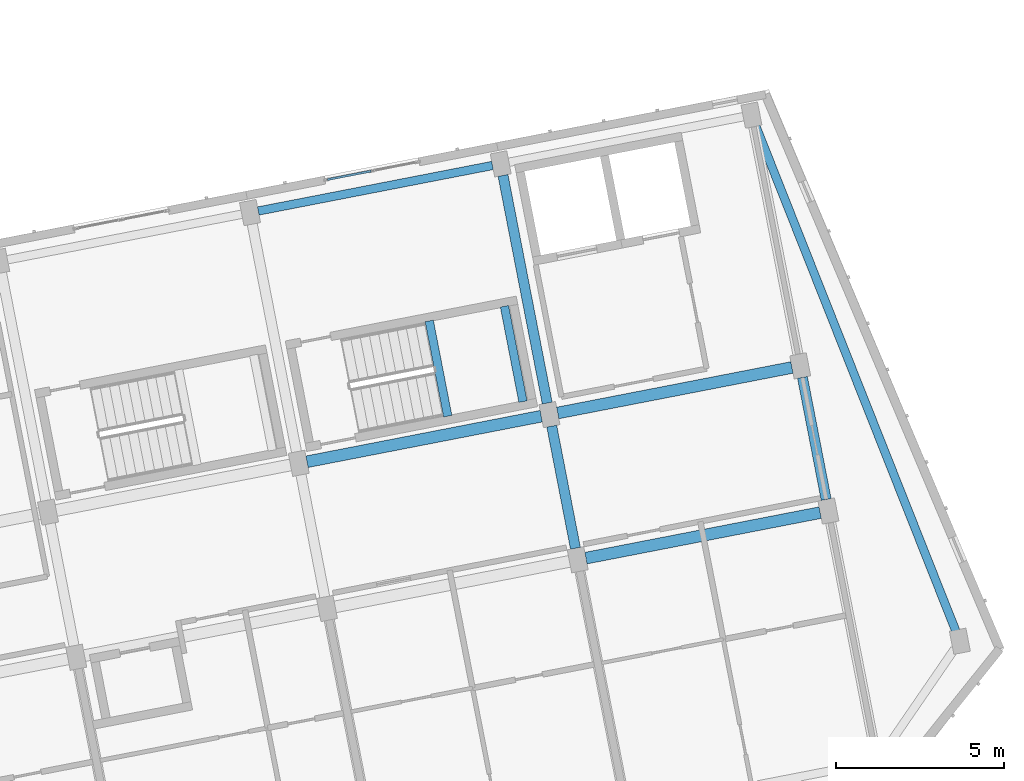
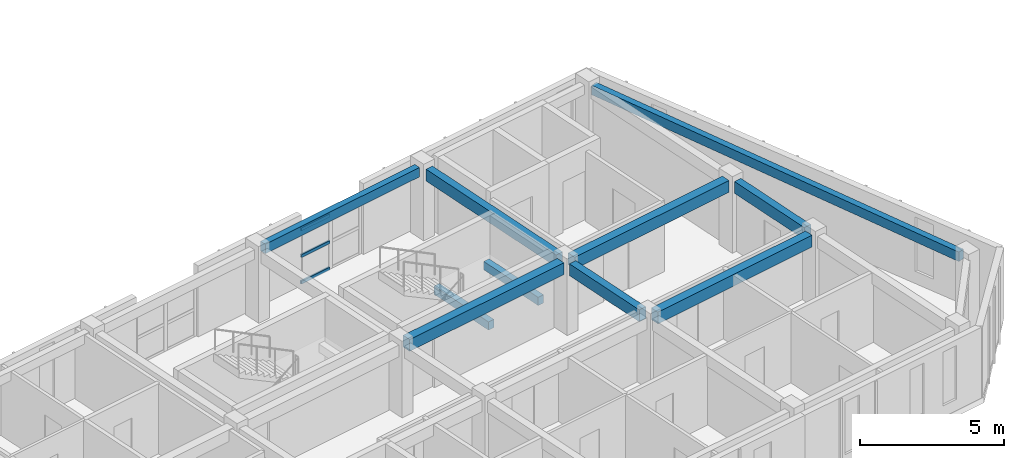
# One storey, part 57 of 127: 10 beams, 3 members, 1 element without a shape of its own.
"""IFC4 building model written with IfcOpenShell, lengths in metres."""

from ifc_helpers import new_model, si_unit, direction, frame, origin, origin_2d, place, context, subcontext, project, spatial, rectangle, hollow_rectangle, extrude, material, material_profile, profile_set, type_object, element, aggregate, save


model = new_model("IFC4")

# Units and contexts
model_context = context("Model", 3, precision=1e-05, world=origin(), true_north=direction((0.0, 1.0)))
body_context = subcontext(model_context, "Body", "Model", "MODEL_VIEW")
ifc_project = project(units=[si_unit("LENGTHUNIT", "METRE"), si_unit("AREAUNIT", "SQUARE_METRE"), si_unit("VOLUMEUNIT", "CUBIC_METRE"), si_unit("PLANEANGLEUNIT", "RADIAN"), si_unit("MASSUNIT", "GRAM", prefix="KILO")], contexts=[model_context])

# Site, building, storey
site_placement = place(None, origin())
site = spatial("IfcSite", under=ifc_project, at=site_placement, CompositionType="ELEMENT")
building_placement = place(site_placement, origin())
building = spatial("IfcBuilding", under=site, at=building_placement, Name="Kestramere Prow Commons", CompositionType="ELEMENT")
storey_placement = place(building_placement, frame((0.0, 0.0, 8.39990234375)))
storey = spatial("IfcBuildingStorey", under=building, at=storey_placement, Name="L02", CompositionType="ELEMENT", Elevation=8.39990234375)

# Beams
ifc_material_1 = material(Name="Precast concrete C40/50", Category="concrete")
ifc_material_profile_1 = material_profile(ifc_material_1, rectangle(XDim=0.35009765625, YDim=0.5, at=origin_2d()), Name="PC-BM 350x500")
ifc_profile_set_1 = profile_set([ifc_material_profile_1], Name="Precast concrete C40/50")
beam_type_1 = type_object("IfcBeamType", Name="BM-D1 PC-BM 350x500", PredefinedType="BEAM", material=ifc_profile_set_1)
for number, where, z_axis, x_axis, name in (
    (1, (154.4970703125, 48.7587890625, 2.75), (0.981627020401, 0.190809834175, 0.0), (-0.190809834175, 0.981627020401, 0.0), "Block D L02 Longitudinal Beam 2-6"),
    (2, (146.197265625, 51.6279296875, 2.75), (0.981627020401, 0.190809834175, 0.0), (-0.190809834175, 0.981627020401, 0.0), "Block D L02 Longitudinal Beam 3-5"),
):
    element("IfcBeam", number, at=place(storey_placement, frame(where, z_axis=z_axis, x_axis=x_axis)), inside=storey, type_object=beam_type_1, Name=name, PredefinedType="BEAM", context=body_context, shape_type="SweptSolid", body=[
        extrude(rectangle(XDim=0.35009765625, YDim=0.5, at=origin_2d()), origin(), (0.0, 0.0, 1.0), 7.099853515625),
    ])
beam_1_placement = place(storey_placement, frame((153.657470703125, 53.077880859375, 2.75), z_axis=(0.98162827229, 0.190803393686, 0.0), x_axis=(-0.190803393686, 0.98162827229, 0.0)))
element("IfcBeam", 3, at=beam_1_placement, inside=storey, type_object=beam_type_1, Name="Block D L02 Longitudinal Beam 3-6", PredefinedType="BEAM", context=body_context, shape_type="SweptSolid", body=[
    extrude(rectangle(XDim=0.35009765625, YDim=0.5, at=origin_2d()), origin(), (0.0, 0.0, 1.0), 7.10009765625),
])
ifc_material_2 = material(Name="Concrete C40/50", Category="concrete")
ifc_material_profile_2 = material_profile(ifc_material_2, rectangle(XDim=0.25, YDim=0.35009765625, at=origin_2d()), Name="PC-BM 250x350")
ifc_profile_set_2 = profile_set([ifc_material_profile_2], Name="Concrete C40/50")
beam_type_2 = type_object("IfcBeamType", Name="BM-ST-TRIM", PredefinedType="BEAM", material=ifc_profile_set_2)
beam_2_placement = place(storey_placement, frame((150.3857421875, 52.98193359375, 1.25), z_axis=(-0.190833481473, 0.981622423516, 0.0), x_axis=(-0.981622423516, -0.190833481473, 0.0)))
element("IfcBeam", 4, at=beam_2_placement, inside=storey, type_object=beam_type_2, Name="ST-D2 L02 Landing Trimmer Beam 1A", PredefinedType="BEAM", context=body_context, shape_type="SweptSolid", body=[
    extrude(rectangle(XDim=0.25, YDim=0.35009765625, at=origin_2d()), origin(), (0.0, 0.0, 1.0), 2.89013671875),
])
beam_3_placement = place(storey_placement, frame((152.623779296875, 53.4169921875, 1.25), z_axis=(-0.190752078966, 0.981638245165, 0.0), x_axis=(-0.981638245165, -0.190752078966, 0.0)))
element("IfcBeam", 5, at=beam_3_placement, inside=storey, type_object=beam_type_2, Name="ST-D2 L02 Landing Trimmer Beam 1B", PredefinedType="BEAM", context=body_context, shape_type="SweptSolid", body=[
    extrude(rectangle(XDim=0.25, YDim=0.35009765625, at=origin_2d()), origin(), (0.0, 0.0, 1.0), 2.889892578125),
])
ifc_material_profile_3 = material_profile(ifc_material_1, rectangle(XDim=0.300048828125, YDim=0.5, at=origin_2d()), Name="PC-BM 300x500")
ifc_profile_set_3 = profile_set([ifc_material_profile_3], Name="Precast concrete C40/50")
beam_type_3 = type_object("IfcBeamType", Name="BM-TIE-01 PC-BM 300x500", PredefinedType="BEAM", material=ifc_profile_set_3)
beam_4_placement = place(storey_placement, frame((154.184814453125, 49.0546875, 2.75), z_axis=(-0.19075839345, 0.981637018112, 0.0), x_axis=(-0.981637018112, -0.19075839345, 0.0)))
element("IfcBeam", 6, at=beam_4_placement, inside=storey, type_object=beam_type_3, Name="Block D L02 Transverse Beam 6-2", PredefinedType="BEAM", context=body_context, shape_type="SweptSolid", body=[
    extrude(rectangle(XDim=0.300048828125, YDim=0.5, at=origin_2d()), origin(), (0.0, 0.0, 1.0), 3.699951171875),
])
beam_5_placement = place(storey_placement, frame((153.345458984375, 53.373779296875, 2.75), z_axis=(-0.190819465253, 0.981625148252, 0.0), x_axis=(-0.981625148252, -0.190819465253, 0.0)))
element("IfcBeam", 7, at=beam_5_placement, inside=storey, type_object=beam_type_3, Name="Block D L02 Transverse Beam 6-3", PredefinedType="BEAM", context=body_context, shape_type="SweptSolid", body=[
    extrude(rectangle(XDim=0.300048828125, YDim=0.5, at=origin_2d()), origin(), (0.0, 0.0, 1.0), 6.89990234375),
])
beam_6_placement = place(storey_placement, frame((161.645263671875, 50.5048828125, 2.75), z_axis=(-0.190821974723, 0.981624660429, 0.0), x_axis=(-0.981624660429, -0.190821974723, 0.0)))
element("IfcBeam", 8, at=beam_6_placement, inside=storey, type_object=beam_type_3, Name="Block D L02 Transverse Beam 7-2", PredefinedType="BEAM", context=body_context, shape_type="SweptSolid", body=[
    extrude(rectangle(XDim=0.300048828125, YDim=0.5, at=origin_2d()), origin(), (0.0, 0.0, 1.0), 3.699951171875),
])

# Curtain wall, members
ifc_material_3 = material(Name="Anodised Aluminium and Low-E Glass", Category="aluminium")
curtain_wall_type = type_object("IfcCurtainWallType", Name="CW-03 Glazed Curtain Wall 2830x2320", PredefinedType="USERDEFINED", material=ifc_material_3)
curtain_wall_placement = place(storey_placement, origin())
curtain_wall = element("IfcCurtainWall", 9, at=curtain_wall_placement, inside=storey, type_object=curtain_wall_type, Name="Block D L02 Stairwell Vertical Glazing 5", ObjectType="GLAZED CURTAIN WALL", PredefinedType="USERDEFINED")
ifc_material_4 = material(Name="Anodised Aluminium 6063-T6", Category="aluminium")
ifc_material_profile_4 = material_profile(ifc_material_4, hollow_rectangle(XDim=0.06494140625, YDim=0.1298828125, WallThickness=0.00390625, at=origin_2d()), Name="ALU-TRN 65x130")
ifc_profile_set_4 = profile_set([ifc_material_profile_4], Name="Anodised Aluminium 6063-T6")
member_type = type_object("IfcMemberType", Name="CW-TRN-65x130", PredefinedType="USERDEFINED", material=ifc_profile_set_4)
member_1_placement = place(storey_placement, frame((146.806396484375, 60.0234375, 0.03271484375), z_axis=(0.981649131804, 0.190696046182, 0.0), x_axis=(-0.190696046182, 0.981649131804, 0.0)))
member_1 = element("IfcMember", 10, at=member_1_placement, type_object=member_type, Name="CW-03 transom 1.1", ObjectType="TRANSOM", PredefinedType="USERDEFINED", context=body_context, shape_type="SweptSolid", body=[
    extrude(hollow_rectangle(XDim=0.06494140625, YDim=0.1298828125, WallThickness=0.00390625, at=origin_2d()), origin(), (0.0, 0.0, 1.0), 1.3173828125),
])
member_2_placement = place(storey_placement, frame((146.806396484375, 60.0234375, 1.16015625), z_axis=(0.981649131804, 0.190696046182, 0.0), x_axis=(-0.190696046182, 0.981649131804, 0.0)))
member_2 = element("IfcMember", 11, at=member_2_placement, type_object=member_type, Name="CW-03 transom 1.2", ObjectType="TRANSOM", PredefinedType="USERDEFINED", context=body_context, shape_type="SweptSolid", body=[
    extrude(hollow_rectangle(XDim=0.06494140625, YDim=0.1298828125, WallThickness=0.00390625, at=origin_2d()), origin(), (0.0, 0.0, 1.0), 1.3173828125),
])
member_3_placement = place(storey_placement, frame((146.806396484375, 60.0234375, 2.28759765625), z_axis=(0.981649131804, 0.190696046182, 0.0), x_axis=(-0.190696046182, 0.981649131804, 0.0)))
member_3 = element("IfcMember", 12, at=member_3_placement, type_object=member_type, Name="CW-03 transom 1.3", ObjectType="TRANSOM", PredefinedType="USERDEFINED", context=body_context, shape_type="SweptSolid", body=[
    extrude(hollow_rectangle(XDim=0.06494140625, YDim=0.1298828125, WallThickness=0.00390625, at=origin_2d()), origin(), (0.0, 0.0, 1.0), 1.3173828125),
])
aggregate(curtain_wall, [member_1, member_2, member_3])

# Beams
ifc_material_profile_5 = material_profile(ifc_material_1, rectangle(XDim=0.25, YDim=0.39990234375, at=origin_2d()), Name="PC-SP 250x400")
ifc_profile_set_5 = profile_set([ifc_material_profile_5], Name="Precast concrete C40/50")
beam_type_4 = type_object("IfcBeamType", Name="SP-EXT-01 PC-SP 250x400", PredefinedType="SPANDREL", material=ifc_profile_set_5)
beam_7_placement = place(storey_placement, frame((159.525390625, 61.680419921875, 2.800048828125), z_axis=(0.368282919079, -0.929713768595, 0.0), x_axis=(0.929713768595, 0.368282919079, 0.0)))
element("IfcBeam", 13, at=beam_7_placement, inside=storey, type_object=beam_type_4, Name="Block D L02 Prow Facet Beam N", PredefinedType="SPANDREL", context=body_context, shape_type="SweptSolid", body=[
    extrude(rectangle(XDim=0.25, YDim=0.39990234375, at=origin_2d()), origin(), (0.0, 0.0, 1.0), 16.27783203125),
])
beam_8_placement = place(storey_placement, frame((144.7470703125, 59.088134765625, 2.800048828125), z_axis=(0.981627020401, 0.190809834175, 0.0), x_axis=(-0.190809834175, 0.981627020401, 0.0)))
element("IfcBeam", 14, at=beam_8_placement, inside=storey, type_object=beam_type_4, Name="Block D L02 Longitudinal Beam 4-5", PredefinedType="SPANDREL", context=body_context, shape_type="SweptSolid", body=[
    extrude(rectangle(XDim=0.25, YDim=0.39990234375, at=origin_2d()), origin(), (0.0, 0.0, 1.0), 7.099853515625),
])

save(model, "model.ifc")
